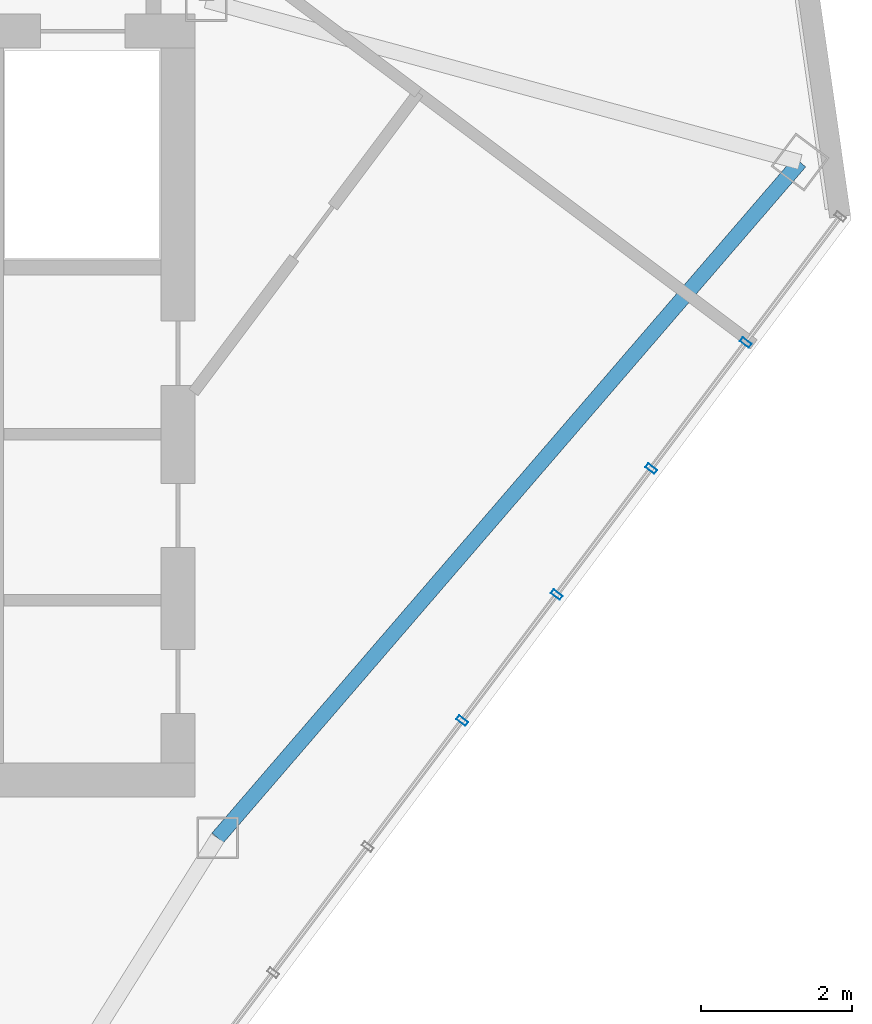
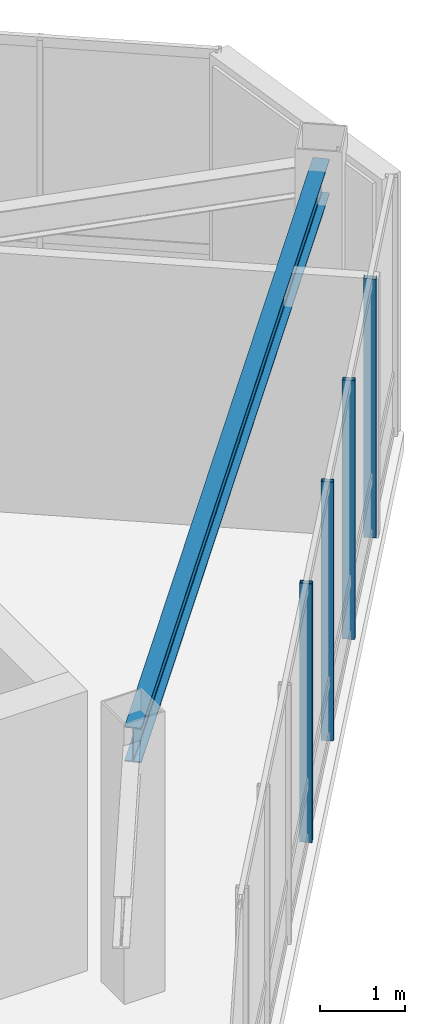
# One storey, part 7 of 24: 4 members, 1 beam, 1 element without a shape of its own.
"""IFC4 building model written with IfcOpenShell, lengths in metres."""

from ifc_helpers import new_model, si_unit, direction, frame, origin, origin_2d, place, context, subcontext, project, spatial, hollow_rectangle, i_section, extrude, material, layer, layer_set, material_profile, profile_set, type_object, element, aggregate, save


model = new_model("IFC4")

# Units and contexts
model_context = context("Model", 3, precision=1e-05, world=origin(), true_north=direction((0.0, 1.0)))
body_context = subcontext(model_context, "Body", "Model", "MODEL_VIEW")
ifc_project = project(units=[si_unit("LENGTHUNIT", "METRE"), si_unit("AREAUNIT", "SQUARE_METRE"), si_unit("VOLUMEUNIT", "CUBIC_METRE"), si_unit("PLANEANGLEUNIT", "RADIAN"), si_unit("MASSUNIT", "GRAM", prefix="KILO")], contexts=[model_context])

# Site, building, storey
site_placement = place(None, origin())
site = spatial("IfcSite", under=ifc_project, at=site_placement, CompositionType="ELEMENT")
building_placement = place(site_placement, origin())
building = spatial("IfcBuilding", under=site, at=building_placement, Name="Hatsunagi Terrace Concourse", CompositionType="ELEMENT")
storey_placement = place(building_placement, frame((0.0, 0.0, 285.949951171875)))
storey = spatial("IfcBuildingStorey", under=building, at=storey_placement, Name="L75", CompositionType="ELEMENT", Elevation=285.949951171875)

# Beam
ifc_material_1 = material(Name="Steel SN490B", Category="steel")
ifc_material_profile_1 = material_profile(ifc_material_1, i_section(OverallWidth=0.199951171875, OverallDepth=0.5, WebThickness=0.010009765625, FlangeThickness=0.01611328125, FilletRadius=0.01611328125, at=origin_2d()), Name="H-500x200x10x16")
ifc_profile_set_1 = profile_set([ifc_material_profile_1], Name="Steel SN490B")
beam_type = type_object("IfcBeamType", Name="CrownFloorGirder_H_500x200", PredefinedType="BEAM", material=ifc_profile_set_1)
beam_placement = place(storey_placement, frame((43.800048828125, 24.199951171875, 3.449951171875), z_axis=(0.652739101421, 0.757582777969, 0.0), x_axis=(-0.757582777969, 0.652739101421, 0.0)))
element("IfcBeam", 1, at=beam_placement, inside=storey, type_object=beam_type, Name="Beam G-07 BM-L75-SET-1B", PredefinedType="BEAM", context=body_context, shape_type="SweptSolid", body=[
    extrude(i_section(OverallWidth=0.199951171875, OverallDepth=0.5, WebThickness=0.010009765625, FlangeThickness=0.01611328125, FilletRadius=0.01611328125, at=origin_2d()), origin(), (0.0, 0.0, 1.0), 11.8271484375),
])

# Curtain wall, members
ifc_material_2 = material(Name="Anodised Aluminium Alloy 6063-T5", Category="aluminium")
ifc_layer = layer(ifc_material_2, 0.199951171875)
ifc_layer_set = layer_set([ifc_layer], Name="CrownWintergarden_CW06")
curtain_wall_type = type_object("IfcCurtainWallType", Name="CrownWintergarden_CW06", PredefinedType="NOTDEFINED", material=ifc_layer_set)
curtain_wall_placement = place(storey_placement, origin())
curtain_wall = element("IfcCurtainWall", 2, at=curtain_wall_placement, inside=storey, type_object=curtain_wall_type, Name="Unitised Curtain Wall CW-06 CW-L75-03", PredefinedType="NOTDEFINED")
ifc_material_3 = material(Name="Anodised Aluminium Alloy 6063-T5", Category="aluminium")
ifc_material_profile_2 = material_profile(ifc_material_3, hollow_rectangle(XDim=0.06494140625, YDim=0.14990234375, WallThickness=0.00390625, at=origin_2d()), Name="ALU-MUL-150x65x4")
ifc_profile_set_2 = profile_set([ifc_material_profile_2], Name="Anodised Aluminium Alloy 6063-T5")
member_type = type_object("IfcMemberType", Name="CurtainWallMullion_Crown_150x65", PredefinedType="MULLION", material=ifc_profile_set_2)
member_1_placement = place(storey_placement, frame((50.800048828125, 30.76708984375, 0.0), z_axis=(0.0, 0.0, 1.0), x_axis=(-0.599969314634, -0.800023013105, 0.0)))
member_1 = element("IfcMember", 3, at=member_1_placement, type_object=member_type, Name="Curtain Wall Mullion MUL-03", PredefinedType="MULLION", context=body_context, shape_type="SweptSolid", body=[
    extrude(hollow_rectangle(XDim=0.06494140625, YDim=0.14990234375, WallThickness=0.00390625, at=origin_2d()), origin(), (0.0, 0.0, 1.0), 3.699951171875),
])
member_2_placement = place(storey_placement, frame((49.547119140625, 29.095947265625, 0.0), z_axis=(0.0, 0.0, 1.0), x_axis=(-0.599969314634, -0.800023013105, 0.0)))
member_2 = element("IfcMember", 4, at=member_2_placement, type_object=member_type, Name="Curtain Wall Mullion MUL-03", PredefinedType="MULLION", context=body_context, shape_type="SweptSolid", body=[
    extrude(hollow_rectangle(XDim=0.06494140625, YDim=0.14990234375, WallThickness=0.00390625, at=origin_2d()), origin(), (0.0, 0.0, 1.0), 3.699951171875),
])
member_3_placement = place(storey_placement, frame((48.2939453125, 27.426025390625, 0.0), z_axis=(0.0, 0.0, 1.0), x_axis=(-0.599969314634, -0.800023013105, 0.0)))
member_3 = element("IfcMember", 5, at=member_3_placement, type_object=member_type, Name="Curtain Wall Mullion MUL-03", PredefinedType="MULLION", context=body_context, shape_type="SweptSolid", body=[
    extrude(hollow_rectangle(XDim=0.06494140625, YDim=0.14990234375, WallThickness=0.00390625, at=origin_2d()), origin(), (0.0, 0.0, 1.0), 3.699951171875),
])
member_4_placement = place(storey_placement, frame((47.041015625, 25.7548828125, 0.0), z_axis=(0.0, 0.0, 1.0), x_axis=(-0.599969314634, -0.800023013105, 0.0)))
member_4 = element("IfcMember", 6, at=member_4_placement, type_object=member_type, Name="Curtain Wall Mullion MUL-03", PredefinedType="MULLION", context=body_context, shape_type="SweptSolid", body=[
    extrude(hollow_rectangle(XDim=0.06494140625, YDim=0.14990234375, WallThickness=0.00390625, at=origin_2d()), origin(), (0.0, 0.0, 1.0), 3.699951171875),
])
aggregate(curtain_wall, [member_1, member_2, member_3, member_4])

save(model, "model.ifc")
